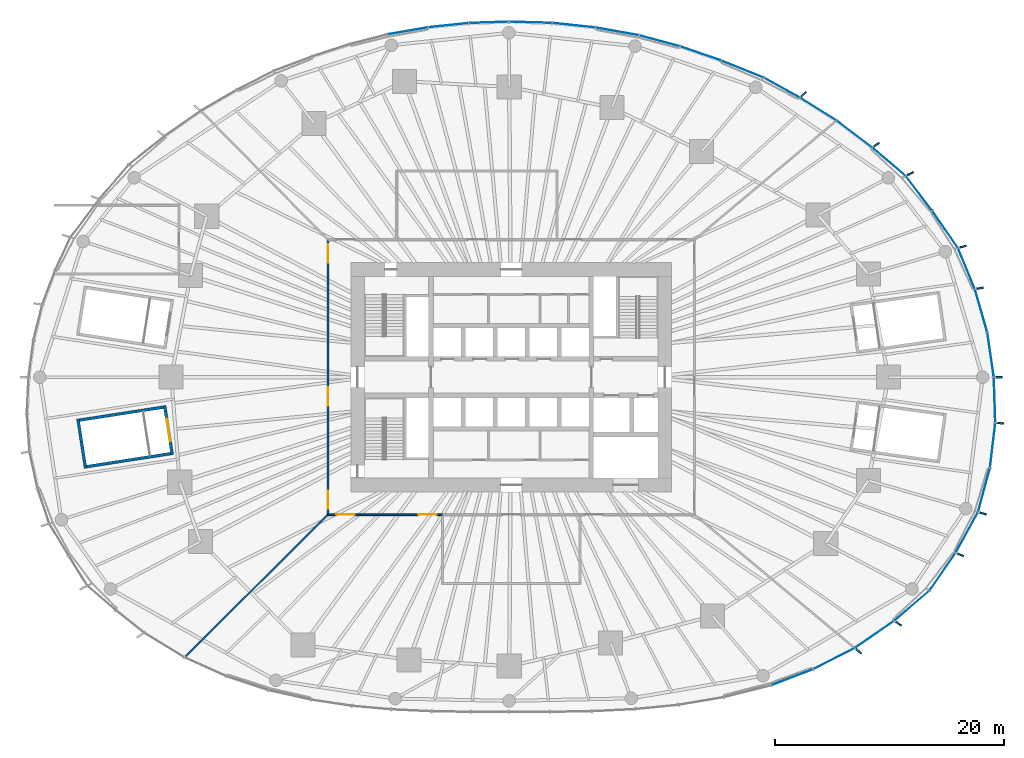
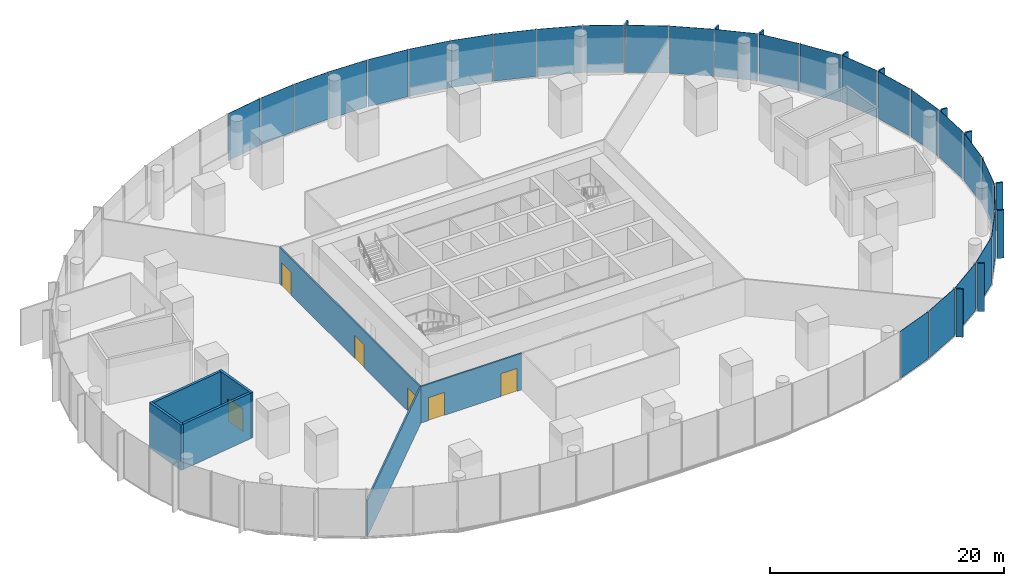
# One storey, part 11 of 27: 38 plates, 7 walls, 6 doors, 6 openings, 9 elements without a shape of their own.
"""IFC4 building model written with IfcOpenShell, lengths in metres."""

from ifc_helpers import new_model, si_unit, direction, frame, frame_2d, origin, origin_2d, place, context, subcontext, project, spatial, rectangle, extrude, material, layer, layer_set, type_object, element, fill, aggregate, save


model = new_model("IFC4")

# Units and contexts
model_context = context("Model", 3, precision=1e-05, world=origin(), true_north=direction((0.0, 1.0)))
body_context = subcontext(model_context, "Body", "Model", "MODEL_VIEW")
ifc_project = project(units=[si_unit("LENGTHUNIT", "METRE"), si_unit("AREAUNIT", "SQUARE_METRE"), si_unit("VOLUMEUNIT", "CUBIC_METRE"), si_unit("PLANEANGLEUNIT", "RADIAN"), si_unit("MASSUNIT", "GRAM", prefix="KILO")], contexts=[model_context])

# Site, building, storey
site_placement = place(None, origin())
site = spatial("IfcSite", under=ifc_project, at=site_placement, CompositionType="ELEMENT")
building_placement = place(site_placement, origin())
building = spatial("IfcBuilding", under=site, at=building_placement, Name="Ghaith Harvest Tower", CompositionType="ELEMENT")
storey_placement = place(building_placement, frame((0.0, 0.0, 10.0)))
storey = spatial("IfcBuildingStorey", under=building, at=storey_placement, Name="L02", CompositionType="ELEMENT", Elevation=10.0)

# Curtain wall, plates
ifc_material_1 = material(Name="Black anodised aluminium and fritted glass", Category="aluminium")
curtain_wall_type = type_object("IfcCurtainWallType", Name="CW-P CURTAIN WALL", PredefinedType="NOTDEFINED", material=ifc_material_1)
curtain_wall_1_placement = place(storey_placement, origin())
curtain_wall_1 = element("IfcCurtainWall", 1, at=curtain_wall_1_placement, inside=storey, type_object=curtain_wall_type, Name="Curtain wall CW-P bay 01 L02", PredefinedType="NOTDEFINED")
ifc_material_2 = material(Name="Glass, dark solar-control fritted double glazed unit", Category="glass")
ifc_layer_1 = layer(ifc_material_2, 0.035888671875)
ifc_layer_set_1 = layer_set([ifc_layer_1], Name="CW-P VISION PANEL")
plate_type_1 = type_object("IfcPlateType", Name="CW-P VISION PANEL", PredefinedType="CURTAIN_PANEL", material=ifc_layer_set_1)
plate_1_placement = place(storey_placement, frame((41.836181640625, 1.954345703125, 0.080078125), z_axis=(0.0, 0.0, 1.0), x_axis=(-0.143669974219, 0.989625655745, 0.0)))
plate_1 = element("IfcPlate", 2, at=plate_1_placement, type_object=plate_type_1, Name="CW-P glass unit 1 bay 01 L02", PredefinedType="CURTAIN_PANEL", context=body_context, shape_type="SweptSolid", body=[
    extrude(rectangle(XDim=3.869384765625, YDim=0.035888671875, at=origin_2d()), origin(), (0.0, 0.0, 1.0), 4.919921875),
])
plate_2_placement = place(storey_placement, frame((41.009521484375, 5.79443359375, 0.080078125), z_axis=(0.0, 0.0, 1.0), x_axis=(-0.276672749638, 0.96096419788, 0.0)))
plate_2 = element("IfcPlate", 3, at=plate_2_placement, type_object=plate_type_1, Name="CW-P glass unit 2 bay 01 L02", PredefinedType="CURTAIN_PANEL", context=body_context, shape_type="SweptSolid", body=[
    extrude(rectangle(XDim=3.845458984375, YDim=0.035888671875, at=origin_2d()), origin(), (0.0, 0.0, 1.0), 4.919921875),
])
plate_3_placement = place(storey_placement, frame((39.7265625, 9.47412109375, 0.080078125), z_axis=(0.0, 0.0, 1.0), x_axis=(-0.38143049293, 0.924397522207, 0.0)))
plate_3 = element("IfcPlate", 4, at=plate_3_placement, type_object=plate_type_1, Name="CW-P glass unit 3 bay 01 L02", PredefinedType="CURTAIN_PANEL", context=body_context, shape_type="SweptSolid", body=[
    extrude(rectangle(XDim=3.80078125, YDim=0.035888671875, at=origin_2d()), origin(), (0.0, 0.0, 1.0), 4.919921875),
])
aggregate(curtain_wall_1, [plate_1, plate_2, plate_3])

curtain_wall_2_placement = place(storey_placement, origin())
curtain_wall_2 = element("IfcCurtainWall", 5, at=curtain_wall_2_placement, inside=storey, type_object=curtain_wall_type, Name="Curtain wall CW-P bay 02 L02", PredefinedType="NOTDEFINED")
plate_4_placement = place(storey_placement, frame((37.86181640625, 12.89599609375, 0.080078125), z_axis=(0.0, 0.0, 1.0), x_axis=(-0.568319762502, 0.822807782869, 0.0)))
plate_4 = element("IfcPlate", 6, at=plate_4_placement, type_object=plate_type_1, Name="CW-P glass unit 1 bay 02 L02", PredefinedType="CURTAIN_PANEL", context=body_context, shape_type="SweptSolid", body=[
    extrude(rectangle(XDim=3.87744140625, YDim=0.035888671875, at=origin_2d()), origin(), (0.0, 0.0, 1.0), 4.919921875),
])
plate_5_placement = place(storey_placement, frame((35.58056640625, 16.040283203125, 0.080078125), z_axis=(0.0, 0.0, 1.0), x_axis=(-0.606572464955, 0.79502820375, 0.0)))
plate_5 = element("IfcPlate", 7, at=plate_5_placement, type_object=plate_type_1, Name="CW-P glass unit 2 bay 02 L02", PredefinedType="CURTAIN_PANEL", context=body_context, shape_type="SweptSolid", body=[
    extrude(rectangle(XDim=3.734375, YDim=0.035888671875, at=origin_2d()), origin(), (0.0, 0.0, 1.0), 4.919921875),
])
plate_6_placement = place(storey_placement, frame((32.95703125, 18.798583984375, 0.080078125), z_axis=(0.0, 0.0, 1.0), x_axis=(-0.763058226753, 0.646329747563, 0.0)))
plate_6 = element("IfcPlate", 8, at=plate_6_placement, type_object=plate_type_1, Name="CW-P glass unit 3 bay 02 L02", PredefinedType="CURTAIN_PANEL", context=body_context, shape_type="SweptSolid", body=[
    extrude(rectangle(XDim=3.763916015625, YDim=0.035888671875, at=origin_2d()), origin(), (0.0, 0.0, 1.0), 4.919921875),
])
aggregate(curtain_wall_2, [plate_4, plate_5, plate_6])

curtain_wall_3_placement = place(storey_placement, origin())
curtain_wall_3 = element("IfcCurtainWall", 9, at=curtain_wall_3_placement, inside=storey, type_object=curtain_wall_type, Name="Curtain wall CW-P bay 03 L02", PredefinedType="NOTDEFINED")
plate_7_placement = place(storey_placement, frame((29.939208984375, 21.217529296875, 0.080078125), z_axis=(0.0, 0.0, 1.0), x_axis=(-0.796789304004, 0.604257234152, 0.0)))
plate_7 = element("IfcPlate", 10, at=plate_7_placement, type_object=plate_type_1, Name="CW-P glass unit 1 bay 03 L02", PredefinedType="CURTAIN_PANEL", context=body_context, shape_type="SweptSolid", body=[
    extrude(rectangle(XDim=3.814208984375, YDim=0.035888671875, at=origin_2d()), origin(), (0.0, 0.0, 1.0), 4.919921875),
])
plate_8_placement = place(storey_placement, frame((26.792236328125, 23.390625, 0.080078125), z_axis=(0.0, 0.0, 1.0), x_axis=(-0.848104662125, 0.529828729008, 0.0)))
plate_8 = element("IfcPlate", 11, at=plate_8_placement, type_object=plate_type_1, Name="CW-P glass unit 2 bay 03 L02", PredefinedType="CURTAIN_PANEL", context=body_context, shape_type="SweptSolid", body=[
    extrude(rectangle(XDim=3.68212890625, YDim=0.035888671875, at=origin_2d()), origin(), (0.0, 0.0, 1.0), 4.919921875),
])
plate_9_placement = place(storey_placement, frame((23.61669921875, 25.259765625, 0.080078125), z_axis=(0.0, 0.0, 1.0), x_axis=(-0.875433237437, 0.483339059865, 0.0)))
plate_9 = element("IfcPlate", 12, at=plate_9_placement, type_object=plate_type_1, Name="CW-P glass unit 3 bay 03 L02", PredefinedType="CURTAIN_PANEL", context=body_context, shape_type="SweptSolid", body=[
    extrude(rectangle(XDim=3.5302734375, YDim=0.035888671875, at=origin_2d()), origin(), (0.0, 0.0, 1.0), 4.919921875),
])
aggregate(curtain_wall_3, [plate_7, plate_8, plate_9])

curtain_wall_4_placement = place(storey_placement, origin())
curtain_wall_4 = element("IfcCurtainWall", 13, at=curtain_wall_4_placement, inside=storey, type_object=curtain_wall_type, Name="Curtain wall CW-P bay 04 L02", PredefinedType="NOTDEFINED")
plate_10_placement = place(storey_placement, frame((20.19189453125, 26.87744140625, 0.080078125), z_axis=(0.0, 0.0, 1.0), x_axis=(-0.927191364168, 0.374588005964, 0.0)))
plate_10 = element("IfcPlate", 14, at=plate_10_placement, type_object=plate_type_1, Name="CW-P glass unit 1 bay 04 L02", PredefinedType="CURTAIN_PANEL", context=body_context, shape_type="SweptSolid", body=[
    extrude(rectangle(XDim=3.89892578125, YDim=0.035888671875, at=origin_2d()), origin(), (0.0, 0.0, 1.0), 4.919921875),
])
plate_11_placement = place(storey_placement, frame((16.54150390625, 28.243896484375, 0.080078125), z_axis=(0.0, 0.0, 1.0), x_axis=(-0.945624046403, 0.325261683672, 0.0)))
plate_11 = element("IfcPlate", 15, at=plate_11_placement, type_object=plate_type_1, Name="CW-P glass unit 2 bay 04 L02", PredefinedType="CURTAIN_PANEL", context=body_context, shape_type="SweptSolid", body=[
    extrude(rectangle(XDim=3.739013671875, YDim=0.035888671875, at=origin_2d()), origin(), (0.0, 0.0, 1.0), 4.919921875),
])
plate_12_placement = place(storey_placement, frame((12.944091796875, 29.3486328125, 0.080078125), z_axis=(0.0, 0.0, 1.0), x_axis=(-0.965444604575, 0.260608356539, 0.0)))
plate_12 = element("IfcPlate", 16, at=plate_12_placement, type_object=plate_type_1, Name="CW-P glass unit 3 bay 04 L02", PredefinedType="CURTAIN_PANEL", context=body_context, shape_type="SweptSolid", body=[
    extrude(rectangle(XDim=3.6318359375, YDim=0.035888671875, at=origin_2d()), origin(), (0.0, 0.0, 1.0), 4.919921875),
])
aggregate(curtain_wall_4, [plate_10, plate_11, plate_12])

curtain_wall_5_placement = place(storey_placement, origin())
curtain_wall_5 = element("IfcCurtainWall", 17, at=curtain_wall_5_placement, inside=storey, type_object=curtain_wall_type, Name="Curtain wall CW-P bay 05 L02", PredefinedType="NOTDEFINED")
plate_13_placement = place(storey_placement, frame((9.248779296875, 30.17333984375, 0.080078125), z_axis=(0.0, 0.0, 1.0), x_axis=(-0.984324537633, 0.176366676597, 0.0)))
plate_13 = element("IfcPlate", 18, at=plate_13_placement, type_object=plate_type_1, Name="CW-P glass unit 1 bay 05 L02", PredefinedType="CURTAIN_PANEL", context=body_context, shape_type="SweptSolid", body=[
    extrude(rectangle(XDim=3.787841796875, YDim=0.035888671875, at=origin_2d()), origin(), (0.0, 0.0, 1.0), 4.919921875),
])
plate_14_placement = place(storey_placement, frame((5.452880859375, 30.711669921875, 0.080078125), z_axis=(0.0, 0.0, 1.0), x_axis=(-0.994606630685, 0.103719092734, 0.0)))
plate_14 = element("IfcPlate", 19, at=plate_14_placement, type_object=plate_type_1, Name="CW-P glass unit 2 bay 05 L02", PredefinedType="CURTAIN_PANEL", context=body_context, shape_type="SweptSolid", body=[
    extrude(rectangle(XDim=3.72509765625, YDim=0.035888671875, at=origin_2d()), origin(), (0.0, 0.0, 1.0), 4.919921875),
])
plate_15_placement = place(storey_placement, frame((1.674072265625, 30.96435546875, 0.080078125), z_axis=(0.0, 0.0, 1.0), x_axis=(-0.999570129731, 0.0293181812, 0.0)))
plate_15 = element("IfcPlate", 20, at=plate_15_placement, type_object=plate_type_1, Name="CW-P glass unit 3 bay 05 L02", PredefinedType="CURTAIN_PANEL", context=body_context, shape_type="SweptSolid", body=[
    extrude(rectangle(XDim=3.6943359375, YDim=0.035888671875, at=origin_2d()), origin(), (0.0, 0.0, 1.0), 4.919921875),
])
aggregate(curtain_wall_5, [plate_13, plate_14, plate_15])

curtain_wall_6_placement = place(storey_placement, origin())
curtain_wall_6 = element("IfcCurtainWall", 21, at=curtain_wall_6_placement, inside=storey, type_object=curtain_wall_type, Name="Curtain wall CW-P bay 06 L02", PredefinedType="NOTDEFINED")
plate_16_placement = place(storey_placement, frame((-1.970458984375, 30.958740234375, 0.080078125), z_axis=(0.0, 0.0, 1.0), x_axis=(-0.99939937953, -0.034653718343, 0.0)))
plate_16 = element("IfcPlate", 22, at=plate_16_placement, type_object=plate_type_1, Name="CW-P glass unit 1 bay 06 L02", PredefinedType="CURTAIN_PANEL", context=body_context, shape_type="SweptSolid", body=[
    extrude(rectangle(XDim=3.4384765625, YDim=0.035888671875, at=origin_2d()), origin(), (0.0, 0.0, 1.0), 4.919921875),
])
plate_17_placement = place(storey_placement, frame((-5.4921875, 30.71240234375, 0.080078125), z_axis=(0.0, 0.0, 1.0), x_axis=(-0.994524938155, -0.104499509031, 0.0)))
plate_17 = element("IfcPlate", 23, at=plate_17_placement, type_object=plate_type_1, Name="CW-P glass unit 2 bay 06 L02", PredefinedType="CURTAIN_PANEL", context=body_context, shape_type="SweptSolid", body=[
    extrude(rectangle(XDim=3.46630859375, YDim=0.035888671875, at=origin_2d()), origin(), (0.0, 0.0, 1.0), 4.919921875),
])
plate_18_placement = place(storey_placement, frame((-9.029052734375, 30.218505859375, 0.080078125), z_axis=(0.0, 0.0, 1.0), x_axis=(-0.985183345392, -0.171504448814, 0.0)))
plate_18 = element("IfcPlate", 24, at=plate_18_placement, type_object=plate_type_1, Name="CW-P glass unit 3 bay 06 L02", PredefinedType="CURTAIN_PANEL", context=body_context, shape_type="SweptSolid", body=[
    extrude(rectangle(XDim=3.5205078125, YDim=0.035888671875, at=origin_2d()), origin(), (0.0, 0.0, 1.0), 4.919921875),
])
aggregate(curtain_wall_6, [plate_16, plate_17, plate_18])

curtain_wall_7_placement = place(storey_placement, origin())
curtain_wall_7 = element("IfcCurtainWall", 25, at=curtain_wall_7_placement, inside=storey, type_object=curtain_wall_type, Name="Curtain wall CW-P bay 18 L02", PredefinedType="NOTDEFINED")
plate_19_placement = place(storey_placement, frame((24.50927734375, -26.193603515625, 0.080078125), z_axis=(0.0, 0.0, 1.0), x_axis=(0.933706409347, 0.358039580416, 0.0)))
plate_19 = element("IfcPlate", 26, at=plate_19_placement, type_object=plate_type_1, Name="CW-P glass unit 1 bay 18 L02", PredefinedType="CURTAIN_PANEL", context=body_context, shape_type="SweptSolid", body=[
    extrude(rectangle(XDim=3.838623046875, YDim=0.035888671875, at=origin_2d()), origin(), (0.0, 0.0, 1.0), 4.919921875),
])
plate_20_placement = place(storey_placement, frame((28.1552734375, -24.56787109375, 0.080078125), z_axis=(0.0, 0.0, 1.0), x_axis=(0.891266896046, 0.453479128531, 0.0)))
plate_20 = element("IfcPlate", 27, at=plate_20_placement, type_object=plate_type_1, Name="CW-P glass unit 2 bay 18 L02", PredefinedType="CURTAIN_PANEL", context=body_context, shape_type="SweptSolid", body=[
    extrude(rectangle(XDim=3.996337890625, YDim=0.035888671875, at=origin_2d()), origin(), (0.0, 0.0, 1.0), 4.919921875),
])
plate_21_placement = place(storey_placement, frame((31.693603515625, -22.454833984375, 0.080078125), z_axis=(0.0, 0.0, 1.0), x_axis=(0.822893098404, 0.568196223676, 0.0)))
plate_21 = element("IfcPlate", 28, at=plate_21_placement, type_object=plate_type_1, Name="CW-P glass unit 3 bay 18 L02", PredefinedType="CURTAIN_PANEL", context=body_context, shape_type="SweptSolid", body=[
    extrude(rectangle(XDim=4.104736328125, YDim=0.035888671875, at=origin_2d()), origin(), (0.0, 0.0, 1.0), 4.919921875),
])
aggregate(curtain_wall_7, [plate_19, plate_20, plate_21])

curtain_wall_8_placement = place(storey_placement, origin())
curtain_wall_8 = element("IfcCurtainWall", 29, at=curtain_wall_8_placement, inside=storey, type_object=curtain_wall_type, Name="Curtain wall CW-P bay 19 L02", PredefinedType="NOTDEFINED")
plate_22_placement = place(storey_placement, frame((34.957763671875, -19.940673828125, 0.080078125), z_axis=(0.0, 0.0, 1.0), x_axis=(0.758467415439, 0.651710963324, 0.0)))
plate_22 = element("IfcPlate", 30, at=plate_22_placement, type_object=plate_type_1, Name="CW-P glass unit 1 bay 19 L02", PredefinedType="CURTAIN_PANEL", context=body_context, shape_type="SweptSolid", body=[
    extrude(rectangle(XDim=3.98681640625, YDim=0.035888671875, at=origin_2d()), origin(), (0.0, 0.0, 1.0), 4.919921875),
])
plate_23_placement = place(storey_placement, frame((37.639892578125, -16.973388671875, 0.080078125), z_axis=(0.0, 0.0, 1.0), x_axis=(0.570248867326, 0.821471989366, 0.0)))
plate_23 = element("IfcPlate", 31, at=plate_23_placement, type_object=plate_type_1, Name="CW-P glass unit 2 bay 19 L02", PredefinedType="CURTAIN_PANEL", context=body_context, shape_type="SweptSolid", body=[
    extrude(rectangle(XDim=3.917724609375, YDim=0.035888671875, at=origin_2d()), origin(), (0.0, 0.0, 1.0), 4.919921875),
])
plate_24_placement = place(storey_placement, frame((39.757080078125, -13.55224609375, 0.080078125), z_axis=(0.0, 0.0, 1.0), x_axis=(0.481454224792, 0.876471237081, 0.0)))
plate_24 = element("IfcPlate", 32, at=plate_24_placement, type_object=plate_type_1, Name="CW-P glass unit 3 bay 19 L02", PredefinedType="CURTAIN_PANEL", context=body_context, shape_type="SweptSolid", body=[
    extrude(rectangle(XDim=3.97998046875, YDim=0.035888671875, at=origin_2d()), origin(), (0.0, 0.0, 1.0), 4.919921875),
])
aggregate(curtain_wall_8, [plate_22, plate_23, plate_24])

curtain_wall_9_placement = place(storey_placement, origin())
curtain_wall_9 = element("IfcCurtainWall", 33, at=curtain_wall_9_placement, inside=storey, type_object=curtain_wall_type, Name="Curtain wall CW-P bay 20 L02", PredefinedType="NOTDEFINED")
plate_25_placement = place(storey_placement, frame((41.256591796875, -9.851318359375, 0.080078125), z_axis=(0.0, 0.0, 1.0), x_axis=(0.262306630804, 0.96498457575, 0.0)))
plate_25 = element("IfcPlate", 34, at=plate_25_placement, type_object=plate_type_1, Name="CW-P glass unit 1 bay 20 L02", PredefinedType="CURTAIN_PANEL", context=body_context, shape_type="SweptSolid", body=[
    extrude(rectangle(XDim=3.90283203125, YDim=0.035888671875, at=origin_2d()), origin(), (0.0, 0.0, 1.0), 4.919921875),
])
plate_26_placement = place(storey_placement, frame((42.013916015625, -5.951904296875, 0.080078125), z_axis=(0.0, 0.0, 1.0), x_axis=(0.117877426804, 0.993028152798, 0.0)))
plate_26 = element("IfcPlate", 35, at=plate_26_placement, type_object=plate_type_1, Name="CW-P glass unit 2 bay 20 L02", PredefinedType="CURTAIN_PANEL", context=body_context, shape_type="SweptSolid", body=[
    extrude(rectangle(XDim=3.903564453125, YDim=0.035888671875, at=origin_2d()), origin(), (0.0, 0.0, 1.0), 4.919921875),
])
plate_27_placement = place(storey_placement, frame((42.184326171875, -1.987060546875, 0.080078125), z_axis=(0.0, 0.0, 1.0), x_axis=(-0.032352405478, 0.999476523916, 0.0)))
plate_27 = element("IfcPlate", 36, at=plate_27_placement, type_object=plate_type_1, Name="CW-P glass unit 3 bay 20 L02", PredefinedType="CURTAIN_PANEL", context=body_context, shape_type="SweptSolid", body=[
    extrude(rectangle(XDim=3.89599609375, YDim=0.035888671875, at=origin_2d()), origin(), (0.0, 0.0, 1.0), 4.919921875),
])
aggregate(curtain_wall_9, [plate_25, plate_26, plate_27])

# Plates
ifc_material_3 = material(Name="Glassfibre-reinforced concrete", Category="concrete")
ifc_layer_2 = layer(ifc_material_3, 0.14990234375)
ifc_layer_set_2 = layer_set([ifc_layer_2], Name="SUN-BREAKER FIN 600x150")
plate_type_2 = type_object("IfcPlateType", Name="SUN-BREAKER FIN 600x150", PredefinedType="USERDEFINED", material=ifc_layer_set_2)
for number, where, z_axis, x_axis, name in (
    (37, (42.570068359375, 0.0, 0.0), (0.0, 0.0, 1.0), (1.0, 0.0, 0.0), "Sun-breaker fin CW-P 1 bay 01 L02"),
    (38, (40.90869140625, 7.764404296875, 0.0), (0.0, 0.0, 1.0), (0.982460376956, 0.186471466213, 0.0), "Sun-breaker fin CW-P 3 bay 01 L02"),
    (39, (39.418701171875, 11.392822265625, 0.0), (0.0, 0.0, 1.0), (0.960680349985, 0.277656739792, 0.0), "Sun-breaker fin CW-P 1 bay 02 L02"),
    (40, (34.824462890625, 17.760986328125, 0.0), (0.0, 0.0, 1.0), (0.890830752257, 0.454335306611, 0.0), "Sun-breaker fin CW-P 3 bay 02 L02"),
    (41, (31.8701171875, 20.282470703125, 0.0), (0.0, 0.0, 1.0), (0.843643971464, 0.536903016766, 0.0), "Sun-breaker fin CW-P 1 bay 03 L02"),
    (42, (25.5205078125, 24.7001953125, 0.0), (0.0, 0.0, 1.0), (0.7185589652, 0.69546604053, 0.0), "Sun-breaker fin CW-P 3 bay 03 L02"),
    (43, (30.324951171875, -23.92236328125, 0.0), (0.0, 0.0, 1.0), (0.785114680351, -0.619350416725, 0.0), "Sun-breaker fin CW-P 3 bay 18 L02"),
    (44, (33.795166015625, -21.507568359375, 0.0), (0.0, 0.0, 1.0), (0.84364397137, -0.536903016913, 0.0), "Sun-breaker fin CW-P 1 bay 19 L02"),
    (45, (39.1982421875, -15.496826171875, 0.0), (0.0, 0.0, 1.0), (0.929960843071, -0.367658578513, 0.0), "Sun-breaker fin CW-P 3 bay 19 L02"),
    (46, (41.16650390625, -11.89794921875, 0.0), (0.0, 0.0, 1.0), (0.960680349932, -0.277656739976, 0.0), "Sun-breaker fin CW-P 1 bay 20 L02"),
    (47, (42.69677734375, -4.01611328125, 0.0), (0.0, 0.0, 1.0), (0.995605438136, -0.093647272008, 0.0), "Sun-breaker fin CW-P 3 bay 20 L02"),
):
    element("IfcPlate", number, at=place(storey_placement, frame(where, z_axis=z_axis, x_axis=x_axis)), inside=storey, type_object=plate_type_2, Name=name, ObjectType="SUN-BREAKER FIN", PredefinedType="USERDEFINED", context=body_context, shape_type="SweptSolid", body=[
        extrude(rectangle(XDim=0.60009765625, YDim=0.14990234375, at=origin_2d()), origin(), (0.0, 0.0, 1.0), 5.0),
    ])

# Wall
ifc_material_4 = material(Name="Gypsum board on steel studs", Category="steel")
ifc_layer_3 = layer(ifc_material_4, 0.14990234375)
ifc_layer_set_3 = layer_set([ifc_layer_3], Name="PARTITION 150")
wall_type_1 = type_object("IfcWallType", Name="PARTITION 150", PredefinedType="PARTITIONING", material=ifc_layer_set_3)
wall_1_placement = place(storey_placement, frame((-16.01416015625, -12.01416015625, 0.0), z_axis=(0.0, 0.0, 1.0), x_axis=(-0.708660986583, -0.705549152147, 0.0)))
element("IfcWall", 48, at=wall_1_placement, inside=storey, type_object=wall_type_1, Name="Partition L02 zone division", PredefinedType="PARTITIONING", context=body_context, shape_type="SweptSolid", body=[
    extrude(rectangle(XDim=17.49560546875, YDim=0.14990234375, at=frame_2d((8.747802734375, 0.0))), origin(), (0.0, 0.0, 1.0), 3.800048828125),
])

# Wall, openings, doors
wall_2_placement = place(storey_placement, frame((-16.0, -12.0, 0.0), z_axis=(0.0, 0.0, 1.0), x_axis=(1.0, 0.0, 0.0)))
wall_2 = element("IfcWall", 49, at=wall_2_placement, inside=storey, type_object=wall_type_1, Name="Partition L02 zone enclosure", PredefinedType="PARTITIONING", context=body_context, shape_type="SweptSolid", body=[
    extrude(rectangle(XDim=10.0, YDim=0.14990234375, at=frame_2d((5.0, 0.0))), origin(), (0.0, 0.0, 1.0), 3.800048828125),
])
opening_1_placement = place(wall_2_placement, frame((0.75, 0.0, 0.0)))
opening_1 = element("IfcOpeningElement", 50, at=opening_1_placement, cuts=wall_2, Name="Opening 02-038", PredefinedType="OPENING", context=body_context, shape_type="SweptSolid", body=[
    extrude(rectangle(XDim=1.60009765625, YDim=2.39990234375, at=frame_2d((0.800048828125, 1.199951171875))), frame((0.0, 0.0849609375, 0.0), z_axis=(0.0, -1.0, 0.0), x_axis=(1.0, 0.0, 0.0)), (0.0, 0.0, 1.0), 0.169921875),
])
opening_2_placement = place(wall_2_placement, frame((7.89990234375, 0.0, 0.0)))
opening_2 = element("IfcOpeningElement", 51, at=opening_2_placement, cuts=wall_2, Name="Opening 02-039", PredefinedType="OPENING", context=body_context, shape_type="SweptSolid", body=[
    extrude(rectangle(XDim=1.60009765625, YDim=2.39990234375, at=frame_2d((0.800048828125, 1.199951171875))), frame((0.0, 0.0849609375, 0.0), z_axis=(0.0, -1.0, 0.0), x_axis=(1.0, 0.0, 0.0)), (0.0, 0.0, 1.0), 0.169921875),
])
ifc_material_5 = material(Name="Timber door", Category="wood")
door_type_1 = type_object("IfcDoorType", Name="D2 PAIR 1600x2400", OperationType="DOUBLE_DOOR_SINGLE_SWING", PredefinedType="DOOR", material=ifc_material_5)
door_1_placement = place(opening_1_placement, origin())
door_1 = element("IfcDoor", 52, at=door_1_placement, inside=storey, type_object=door_type_1, Name="Farmers' market south door", OperationType="DOUBLE_DOOR_SINGLE_SWING", OverallHeight=2.39990234375, OverallWidth=1.60009765625, PredefinedType="DOOR", context=body_context, shape_type="SweptSolid", body=[
    extrude(rectangle(XDim=1.60009765625, YDim=2.39990234375, at=frame_2d((0.800048828125, 1.199951171875))), frame((0.0, 0.02490234375, 0.0), z_axis=(0.0, -1.0, 0.0), x_axis=(1.0, 0.0, 0.0)), (0.0, 0.0, 1.0), 0.050048828125),
])
fill(opening_1, door_1)
door_2_placement = place(opening_2_placement, origin())
door_2 = element("IfcDoor", 53, at=door_2_placement, inside=storey, type_object=door_type_1, Name="Farmers' market south door", OperationType="DOUBLE_DOOR_SINGLE_SWING", OverallHeight=2.39990234375, OverallWidth=1.60009765625, PredefinedType="DOOR", context=body_context, shape_type="SweptSolid", body=[
    extrude(rectangle(XDim=1.60009765625, YDim=2.39990234375, at=frame_2d((0.800048828125, 1.199951171875))), frame((0.0, 0.02490234375, 0.0), z_axis=(0.0, -1.0, 0.0), x_axis=(1.0, 0.0, 0.0)), (0.0, 0.0, 1.0), 0.050048828125),
])
fill(opening_2, door_2)

wall_3_placement = place(storey_placement, frame((-16.0, 12.0, 0.0), z_axis=(0.0, 0.0, 1.0), x_axis=(0.0, -1.0, 0.0)))
wall_3 = element("IfcWall", 54, at=wall_3_placement, inside=storey, type_object=wall_type_1, Name="Partition L02 zone enclosure", PredefinedType="PARTITIONING", context=body_context, shape_type="SweptSolid", body=[
    extrude(rectangle(XDim=24.0, YDim=0.14990234375, at=frame_2d((12.0, 0.0))), origin(), (0.0, 0.0, 1.0), 3.800048828125),
])
opening_3_placement = place(wall_3_placement, frame((12.89990234375, 0.0, 0.0)))
opening_3 = element("IfcOpeningElement", 55, at=opening_3_placement, cuts=wall_3, Name="Opening 02-040", PredefinedType="OPENING", context=body_context, shape_type="SweptSolid", body=[
    extrude(rectangle(XDim=1.60009765625, YDim=2.39990234375, at=frame_2d((0.800048828125, 1.199951171875))), frame((0.0, 0.0849609375, 0.0), z_axis=(0.0, -1.0, 0.0), x_axis=(1.0, 0.0, 0.0)), (0.0, 0.0, 1.0), 0.169921875),
])
opening_4_placement = place(wall_3_placement, frame((0.39990234375, 0.0, 0.0)))
opening_4 = element("IfcOpeningElement", 56, at=opening_4_placement, cuts=wall_3, Name="Opening 02-041", PredefinedType="OPENING", context=body_context, shape_type="SweptSolid", body=[
    extrude(rectangle(XDim=1.60009765625, YDim=2.39990234375, at=frame_2d((0.800048828125, 1.199951171875))), frame((0.0, 0.0849609375, 0.0), z_axis=(0.0, -1.0, 0.0), x_axis=(1.0, 0.0, 0.0)), (0.0, 0.0, 1.0), 0.169921875),
])
opening_5_placement = place(wall_3_placement, frame((21.89990234375, 0.0, 0.0)))
opening_5 = element("IfcOpeningElement", 57, at=opening_5_placement, cuts=wall_3, Name="Opening 02-042", PredefinedType="OPENING", context=body_context, shape_type="SweptSolid", body=[
    extrude(rectangle(XDim=1.60009765625, YDim=2.39990234375, at=frame_2d((0.800048828125, 1.199951171875))), frame((0.0, 0.0849609375, 0.0), z_axis=(0.0, -1.0, 0.0), x_axis=(1.0, 0.0, 0.0)), (0.0, 0.0, 1.0), 0.169921875),
])
door_3_placement = place(opening_3_placement, origin())
door_3 = element("IfcDoor", 58, at=door_3_placement, inside=storey, type_object=door_type_1, Name="Tea and coffee market west door", OperationType="DOUBLE_DOOR_SINGLE_SWING", OverallHeight=2.39990234375, OverallWidth=1.60009765625, PredefinedType="DOOR", context=body_context, shape_type="SweptSolid", body=[
    extrude(rectangle(XDim=1.60009765625, YDim=2.39990234375, at=frame_2d((0.800048828125, 1.199951171875))), frame((0.0, 0.02490234375, 0.0), z_axis=(0.0, -1.0, 0.0), x_axis=(1.0, 0.0, 0.0)), (0.0, 0.0, 1.0), 0.050048828125),
])
fill(opening_3, door_3)
door_4_placement = place(opening_4_placement, origin())
door_4 = element("IfcDoor", 59, at=door_4_placement, inside=storey, type_object=door_type_1, Name="Tea and coffee market west door", OperationType="DOUBLE_DOOR_SINGLE_SWING", OverallHeight=2.39990234375, OverallWidth=1.60009765625, PredefinedType="DOOR", context=body_context, shape_type="SweptSolid", body=[
    extrude(rectangle(XDim=1.60009765625, YDim=2.39990234375, at=frame_2d((0.800048828125, 1.199951171875))), frame((0.0, 0.02490234375, 0.0), z_axis=(0.0, -1.0, 0.0), x_axis=(1.0, 0.0, 0.0)), (0.0, 0.0, 1.0), 0.050048828125),
])
fill(opening_4, door_4)
door_5_placement = place(opening_5_placement, origin())
door_5 = element("IfcDoor", 60, at=door_5_placement, inside=storey, type_object=door_type_1, Name="Tea and coffee market west door", OperationType="DOUBLE_DOOR_SINGLE_SWING", OverallHeight=2.39990234375, OverallWidth=1.60009765625, PredefinedType="DOOR", context=body_context, shape_type="SweptSolid", body=[
    extrude(rectangle(XDim=1.60009765625, YDim=2.39990234375, at=frame_2d((0.800048828125, 1.199951171875))), frame((0.0, 0.02490234375, 0.0), z_axis=(0.0, -1.0, 0.0), x_axis=(1.0, 0.0, 0.0)), (0.0, 0.0, 1.0), 0.050048828125),
])
fill(opening_5, door_5)

# Wall, opening, door
ifc_material_6 = material(Name="Concrete C40/50", Category="concrete")
ifc_layer_4 = layer(ifc_material_6, 0.25)
ifc_layer_set_4 = layer_set([ifc_layer_4], Name="STAIR ENCLOSURE WALL RC250")
wall_type_2 = type_object("IfcWallType", Name="STAIR ENCLOSURE WALL RC250", PredefinedType="SOLIDWALL", material=ifc_layer_set_4)
wall_4_placement = place(storey_placement, frame((-30.251708984375, -2.47802734375, 0.0), z_axis=(0.0, 0.0, 1.0), x_axis=(0.152820464277, -0.988253968218, 0.0)))
wall_4 = element("IfcWall", 61, at=wall_4_placement, inside=storey, type_object=wall_type_2, Name="Stair PS3 enclosure wall L02", PredefinedType="SOLIDWALL", context=body_context, shape_type="SweptSolid", body=[
    extrude(rectangle(XDim=4.35009765625, YDim=0.25, at=frame_2d((2.175048828125, 0.0))), origin(), (0.0, 0.0, 1.0), 4.75),
])
opening_6_placement = place(wall_4_placement, frame((1.175048828125, 0.0, 0.0)))
opening_6 = element("IfcOpeningElement", 62, at=opening_6_placement, cuts=wall_4, Name="Opening 02-026", PredefinedType="OPENING", context=body_context, shape_type="SweptSolid", body=[
    extrude(rectangle(XDim=2.0, YDim=2.39990234375, at=frame_2d((1.0, 1.199951171875))), frame((0.0, 0.135009765625, 0.0), z_axis=(0.0, -1.0, 0.0), x_axis=(1.0, 0.0, 0.0)), (0.0, 0.0, 1.0), 0.27001953125),
])
ifc_material_7 = material(Name="Steel fire door", Category="steel")
door_type_2 = type_object("IfcDoorType", Name="D8 FD90 PAIR 2000x2400", OperationType="DOUBLE_DOOR_SINGLE_SWING", PredefinedType="DOOR", material=ifc_material_7)
door_6_placement = place(opening_6_placement, origin())
door_6 = element("IfcDoor", 63, at=door_6_placement, inside=storey, type_object=door_type_2, Name="Stair PS3 doors", OperationType="DOUBLE_DOOR_SINGLE_SWING", OverallHeight=2.39990234375, OverallWidth=2.0, PredefinedType="DOOR", context=body_context, shape_type="SweptSolid", body=[
    extrude(rectangle(XDim=2.0, YDim=2.39990234375, at=frame_2d((1.0, 1.199951171875))), frame((0.0, 0.02490234375, 0.0), z_axis=(0.0, -1.0, 0.0), x_axis=(1.0, 0.0, 0.0)), (0.0, 0.0, 1.0), 0.050048828125),
])
fill(opening_6, door_6)

# Walls
wall_5_placement = place(storey_placement, frame((-37.14697265625, -7.9462890625, 0.0), z_axis=(0.0, 0.0, 1.0), x_axis=(-0.152828940605, 0.988252657428, 0.0)))
element("IfcWall", 64, at=wall_5_placement, inside=storey, type_object=wall_type_2, Name="Stair PS3 enclosure wall L02", PredefinedType="SOLIDWALL", context=body_context, shape_type="SweptSolid", body=[
    extrude(rectangle(XDim=4.349853515625, YDim=0.25, at=frame_2d((2.1748046875, 0.0))), origin(), (0.0, 0.0, 1.0), 4.75),
])
for number, where, z_axis, x_axis, name in (
    (65, (-30.356201171875, -2.620849609375, 0.0), (0.0, 0.0, 1.0), (-0.988248943707, -0.152852953068, 0.0), "Stair PS3 enclosure wall L02"),
    (66, (-37.04248046875, -7.8037109375, 0.0), (0.0, 0.0, 1.0), (0.988248943707, 0.152852953068, 0.0), "Stair PS3 enclosure wall L02"),
):
    element("IfcWall", number, at=place(storey_placement, frame(where, z_axis=z_axis, x_axis=x_axis)), inside=storey, type_object=wall_type_2, Name=name, PredefinedType="SOLIDWALL", context=body_context, shape_type="SweptSolid", body=[
        extrude(rectangle(XDim=7.39990234375, YDim=0.25, at=frame_2d((3.699951171875, 0.0))), origin(), (0.0, 0.0, 1.0), 4.75),
    ])

save(model, "model.ifc")
